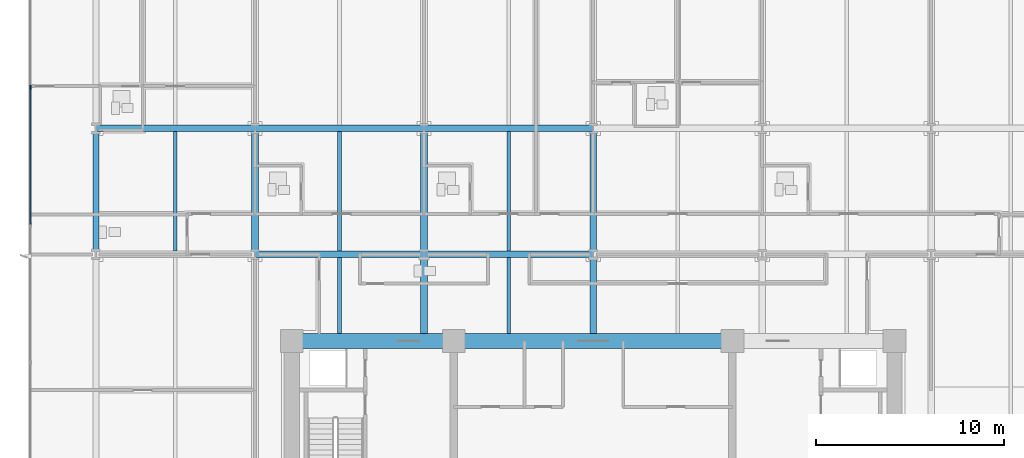
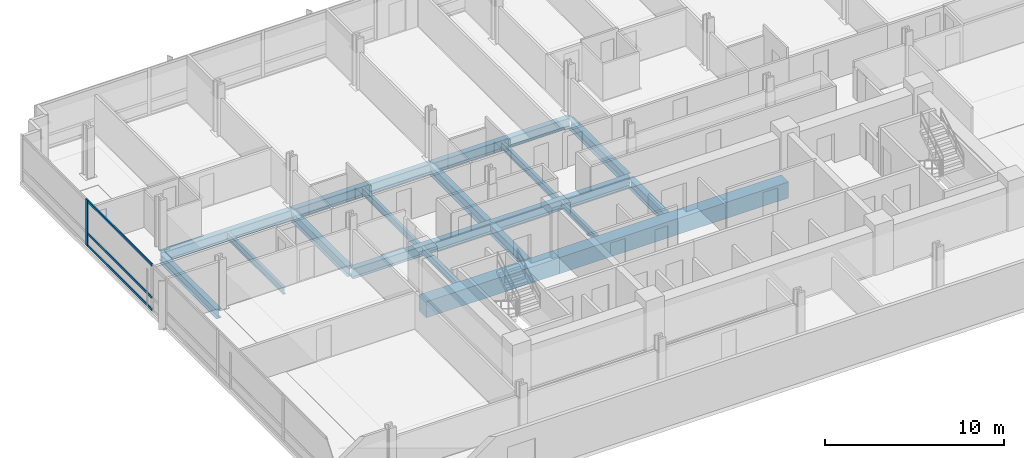
# One storey, part 3 of 16: 18 beams, 4 members, 1 element without a shape of its own.
"""IFC4 building model written with IfcOpenShell, lengths in metres."""

import ifcopenshell
import ifcopenshell.guid

model = None  # the IFC model being written
_history = None  # IfcOwnerHistory: only IFC2X3 demands one
_inside = {}  # id of a spatial element -> (the spatial element, [elements in it])
_under = {}  # id of a project, library or spatial element -> (it, [spatial elements below it])
_declared = {}  # id of a project -> (the project, [libraries it declares])
_typed = {}  # id of a type object -> (the type object, [elements of that type])
_made_of = {}  # id of a material, layer set ... -> (it, [elements and type objects made of it])


def new_model(schema):
    """Start an empty IFC model of exactly this schema.

    Asked for "IFC4X3", IfcOpenShell would pick the latest addendum, in which some entities
    have other attributes; the version numbers below select the first issue.
    IFC2X3 requires an IfcOwnerHistory on every rooted entity: one is made here for all.
    """
    global model, _history
    if schema == "IFC4X3":
        model = ifcopenshell.file(schema_version=(4, 3, 0, 0))
    else:
        model = ifcopenshell.file(schema=schema)
    _inside.clear()
    _under.clear()
    _declared.clear()
    _typed.clear()
    _made_of.clear()
    _history = None
    if model.schema == "IFC2X3":
        org = make("IfcOrganization", Name="unknown")
        user = make(
            "IfcPersonAndOrganization",
            ThePerson=make("IfcPerson", FamilyName="unknown"),
            TheOrganization=org,
        )
        app = make(
            "IfcApplication",
            ApplicationDeveloper=org,
            Version="unknown",
            ApplicationFullName="unknown",
            ApplicationIdentifier="unknown",
        )
        _history = make(
            "IfcOwnerHistory",
            OwningUser=user,
            OwningApplication=app,
            ChangeAction="ADDED",
            CreationDate=0,
        )
    return model


def make(cls, **values):
    """One entity of the class cls with the attributes given. An attribute that is None is left unset."""
    return model.create_entity(
        cls, **{name: value for name, value in values.items() if value is not None}
    )


def rooted(cls, **values):
    """An entity with a GlobalId (a new one), such as an element, a storey or a relation."""
    return make(cls, GlobalId=ifcopenshell.guid.new(), OwnerHistory=_history, **values)


def si_unit(unit_type, name, prefix=None):
    """IfcSIUnit, for example si_unit("LENGTHUNIT", "METRE", prefix="MILLI")."""
    return make("IfcSIUnit", UnitType=unit_type, Prefix=prefix, Name=name)


def assignment(units):
    """IfcUnitAssignment: the units of a project."""
    return None if units is None else make("IfcUnitAssignment", Units=units)


def point(xyz):
    """IfcCartesianPoint."""
    return None if xyz is None else make("IfcCartesianPoint", Coordinates=xyz)


def direction(xyz):
    """IfcDirection."""
    return None if xyz is None else make("IfcDirection", DirectionRatios=xyz)


def frame(location, z_axis=None, x_axis=None):
    """IfcAxis2Placement3D, a coordinate frame: its origin and axes. An axis left out is left unset."""
    return make(
        "IfcAxis2Placement3D",
        Location=point(location),
        Axis=direction(z_axis),
        RefDirection=direction(x_axis),
    )


def frame_2d(location, x_axis=None):
    """IfcAxis2Placement2D, a coordinate frame in the plane: its origin and x axis."""
    return make(
        "IfcAxis2Placement2D", Location=point(location), RefDirection=direction(x_axis)
    )


def origin():
    """The frame at (0, 0, 0) with its axes left unset."""
    return frame((0.0, 0.0, 0.0))


def origin_2d():
    """The frame at (0, 0) in the plane with its x axis left unset."""
    return frame_2d((0.0, 0.0))


def place(relative_to, where):
    """IfcLocalPlacement: puts the frame where relative to a parent placement (None: the world)."""
    return make(
        "IfcLocalPlacement", PlacementRelTo=relative_to, RelativePlacement=where
    )


def context(
    kind, dimensions, precision=None, world=None, true_north=None, identifier=None
):
    """IfcGeometricRepresentationContext, for example the 3D "Model" context."""
    return make(
        "IfcGeometricRepresentationContext",
        ContextIdentifier=identifier,
        ContextType=kind,
        CoordinateSpaceDimension=dimensions,
        Precision=precision,
        WorldCoordinateSystem=world,
        TrueNorth=true_north,
    )


def subcontext(parent, identifier, kind, view, scale=None):
    """IfcGeometricRepresentationSubContext, for example "Body" below "Model"."""
    return make(
        "IfcGeometricRepresentationSubContext",
        ContextIdentifier=identifier,
        ContextType=kind,
        ParentContext=parent,
        TargetScale=scale,
        TargetView=view,
    )


def project(units=None, contexts=None):
    """IfcProject with its units and contexts."""
    return rooted(
        "IfcProject",
        Name="project",
        RepresentationContexts=contexts,
        UnitsInContext=assignment(units),
    )


def spatial(cls, under=None, at=None, **own):
    """A site, building, storey or space (cls), placed at a placement, below another one or the project."""
    s = rooted(cls, ObjectPlacement=at, **own)
    if under is not None:
        _under.setdefault(under.id(), (under, []))[1].append(s)
    return s


def profile(cls, at=None, kind="AREA", **sizes):
    """A parametric profile (cls). Its sizes go by their IFC names, for example OverallWidth=200.0."""
    return make(cls, ProfileType=kind, Position=at, **sizes)


def rectangle(**sizes):
    """IfcRectangleProfileDef."""
    return profile("IfcRectangleProfileDef", **sizes)


def i_section(**sizes):
    """IfcIShapeProfileDef."""
    return profile("IfcIShapeProfileDef", **sizes)


def extrude(swept, where, along, depth):
    """IfcExtrudedAreaSolid: the profile swept, set in the frame where, extruded along a direction by depth."""
    return make(
        "IfcExtrudedAreaSolid",
        SweptArea=swept,
        Position=where,
        ExtrudedDirection=direction(along),
        Depth=depth,
    )


def shape(context_of_items, identifier, shape_type, items):
    """IfcShapeRepresentation: the items that make up one representation, for example the "Body"."""
    return make(
        "IfcShapeRepresentation",
        ContextOfItems=context_of_items,
        RepresentationIdentifier=identifier,
        RepresentationType=shape_type,
        Items=items,
    )


def material(Name=None, Category=None):
    """IfcMaterial."""
    return make("IfcMaterial", Name=Name, Category=Category)


def material_profile(
    of_material, cross_section, Name=None, Category=None, Priority=None
):
    """IfcMaterialProfile: a cross section and its material."""
    return make(
        "IfcMaterialProfile",
        Name=Name,
        Material=of_material,
        Profile=cross_section,
        Priority=Priority,
        Category=Category,
    )


def profile_set(profiles, Name=None, composite=None):
    """IfcMaterialProfileSet."""
    return make(
        "IfcMaterialProfileSet",
        Name=Name,
        MaterialProfiles=profiles,
        CompositeProfile=composite,
    )


def made_of(thing, what):
    """Note that an element or type object is made of a material, layer set ...; save() writes the relation."""
    if what is not None:
        _made_of.setdefault(what.id(), (what, []))[1].append(thing)
    return thing


def type_object(cls, material=None, **own):
    """A type object (cls), such as IfcWallType, which elements share."""
    return made_of(rooted(cls, **own), material)


def element(
    cls,
    number,
    at=None,
    inside=None,
    cuts=None,
    type_object=None,
    material=None,
    context=None,
    identifier="Body",
    shape_type=None,
    held_by="IfcProductDefinitionShape",
    body=None,
    shapes=None,
    **own,
):
    """One element of the class cls, such as IfcWall. Its Tag is "e" and its number.

    at: its placement. inside: the storey or other place that contains it. cuts: it is an
    opening in that element (IfcRelVoidsElement). A single representation is given by context,
    identifier, shape_type and body (its items); several are given by shapes. held_by: the class
    of the entity that holds the representations. save() writes the other relations.
    """
    e = rooted(cls, Tag="e%d" % number, ObjectPlacement=at, **own)
    if body is not None:
        shapes = [shape(context, identifier, shape_type, body)]
    if shapes is not None:
        e.Representation = make(held_by, Representations=shapes)
    if inside is not None:
        _inside.setdefault(inside.id(), (inside, []))[1].append(e)
    if cuts is not None:
        rooted(
            "IfcRelVoidsElement", RelatingBuildingElement=cuts, RelatedOpeningElement=e
        )
    if type_object is not None:
        _typed.setdefault(type_object.id(), (type_object, []))[1].append(e)
    return made_of(e, material)


def aggregate(whole, parts):
    """IfcRelAggregates: a whole, such as a stair, and the parts it consists of."""
    return rooted("IfcRelAggregates", RelatingObject=whole, RelatedObjects=parts)


def save(model, path):
    """Write the relations noted so far, then the file.

    IfcRelAggregates (storeys below a building ...), IfcRelContainedInSpatialStructure (elements
    in a storey), IfcRelDefinesByType, IfcRelAssociatesMaterial and IfcRelDeclares: one each for
    every whole, place, type object, material and project.
    """
    for whole, parts in _under.values():
        aggregate(whole, parts)
    for where, things in _inside.values():
        rooted(
            "IfcRelContainedInSpatialStructure",
            RelatedElements=things,
            RelatingStructure=where,
        )
    for kind, things in _typed.values():
        rooted("IfcRelDefinesByType", RelatedObjects=things, RelatingType=kind)
    for what, things in _made_of.values():
        rooted("IfcRelAssociatesMaterial", RelatedObjects=things, RelatingMaterial=what)
    for by, libraries in _declared.values():
        rooted("IfcRelDeclares", RelatingContext=by, RelatedDefinitions=libraries)
    model.write(path)


model = new_model("IFC4")

# Units and contexts
model_context = context("Model", 3, precision=1e-05, world=origin(), true_north=direction((0.0, 1.0)))
body_context = subcontext(model_context, "Body", "Model", "MODEL_VIEW")
ifc_project = project(units=[si_unit("LENGTHUNIT", "METRE"), si_unit("AREAUNIT", "SQUARE_METRE"), si_unit("VOLUMEUNIT", "CUBIC_METRE"), si_unit("PLANEANGLEUNIT", "RADIAN"), si_unit("MASSUNIT", "GRAM", prefix="KILO")], contexts=[model_context])

# Site, building, storey
site_placement = place(None, origin())
site = spatial("IfcSite", under=ifc_project, at=site_placement, CompositionType="ELEMENT")
building_placement = place(site_placement, origin())
building = spatial("IfcBuilding", under=site, at=building_placement, Name="Solmavex Isthmus Hotel", CompositionType="ELEMENT")
storey_placement = place(building_placement, frame((0.0, 0.0, 29.85009765625)))
storey = spatial("IfcBuildingStorey", under=building, at=storey_placement, Name="L07", CompositionType="ELEMENT", Elevation=29.85009765625)

# Beams
ifc_material_1 = material(Name="Steel ASTM A992 Grade 50", Category="steel")
ifc_material_profile_1 = material_profile(ifc_material_1, i_section(OverallWidth=0.354736328125, OverallDepth=0.695556640625, WebThickness=0.015380859375, FlangeThickness=0.02490234375, FilletRadius=0.017822265625, at=origin_2d()), Name="W27X146")
ifc_profile_set_1 = profile_set([ifc_material_profile_1], Name="Steel ASTM A992 Grade 50")
beam_type_1 = type_object("IfcBeamType", Name="BM-BG-W27X146", PredefinedType="BEAM", material=ifc_profile_set_1)
beam_1_placement = place(storey_placement, frame((-17.951904296875, 2.10009765625, -0.60791015625), z_axis=(1.0, 0.0, 0.0), x_axis=(0.0, 1.0, 0.0)))
element("IfcBeam", 1, at=beam_1_placement, inside=storey, type_object=beam_type_1, Name="Floor Girder L07-UG08", PredefinedType="BEAM", context=body_context, shape_type="SweptSolid", body=[
    extrude(i_section(OverallWidth=0.354736328125, OverallDepth=0.695556640625, WebThickness=0.015380859375, FlangeThickness=0.02490234375, FilletRadius=0.017822265625, at=origin_2d()), origin(), (0.0, 0.0, 1.0), 8.975830078125),
])
beam_2_placement = place(storey_placement, frame((-8.97607421875, 2.10009765625, -0.60791015625), z_axis=(1.0, 0.0, 0.0), x_axis=(0.0, 1.0, 0.0)))
element("IfcBeam", 2, at=beam_2_placement, inside=storey, type_object=beam_type_1, Name="Floor Girder L07-UG09", PredefinedType="BEAM", context=body_context, shape_type="SweptSolid", body=[
    extrude(i_section(OverallWidth=0.354736328125, OverallDepth=0.695556640625, WebThickness=0.015380859375, FlangeThickness=0.02490234375, FilletRadius=0.017822265625, at=origin_2d()), origin(), (0.0, 0.0, 1.0), 8.97607421875),
])
beam_3_placement = place(storey_placement, frame((-26.39990234375, 8.7880859375, -0.60791015625), z_axis=(1.0, 0.0, 0.0), x_axis=(0.0, 1.0, 0.0)))
element("IfcBeam", 3, at=beam_3_placement, inside=storey, type_object=beam_type_1, Name="Floor Girder L07-UG13", PredefinedType="BEAM", context=body_context, shape_type="SweptSolid", body=[
    extrude(i_section(OverallWidth=0.354736328125, OverallDepth=0.695556640625, WebThickness=0.015380859375, FlangeThickness=0.02490234375, FilletRadius=0.017822265625, at=origin_2d()), origin(), (0.0, 0.0, 1.0), 8.447998046875),
])
beam_4_placement = place(storey_placement, frame((-17.951904296875, 8.7880859375, -0.60791015625), z_axis=(1.0, 0.0, 0.0), x_axis=(0.0, 1.0, 0.0)))
element("IfcBeam", 4, at=beam_4_placement, inside=storey, type_object=beam_type_1, Name="Floor Girder L07-UG14", PredefinedType="BEAM", context=body_context, shape_type="SweptSolid", body=[
    extrude(i_section(OverallWidth=0.354736328125, OverallDepth=0.695556640625, WebThickness=0.015380859375, FlangeThickness=0.02490234375, FilletRadius=0.017822265625, at=origin_2d()), origin(), (0.0, 0.0, 1.0), 8.975830078125),
])
beam_5_placement = place(storey_placement, frame((-8.97607421875, 8.7880859375, -0.60791015625), z_axis=(1.0, 0.0, 0.0), x_axis=(0.0, 1.0, 0.0)))
element("IfcBeam", 5, at=beam_5_placement, inside=storey, type_object=beam_type_1, Name="Floor Girder L07-UG15", PredefinedType="BEAM", context=body_context, shape_type="SweptSolid", body=[
    extrude(i_section(OverallWidth=0.354736328125, OverallDepth=0.695556640625, WebThickness=0.015380859375, FlangeThickness=0.02490234375, FilletRadius=0.017822265625, at=origin_2d()), origin(), (0.0, 0.0, 1.0), 8.97607421875),
])
beam_6_placement = place(storey_placement, frame((-17.951904296875, 2.27734375, -0.60791015625), z_axis=(0.0, 1.0, 0.0), x_axis=(-1.0, 0.0, 0.0)))
element("IfcBeam", 6, at=beam_6_placement, inside=storey, type_object=beam_type_1, Name="Floor Beam L07-VG29", PredefinedType="BEAM", context=body_context, shape_type="SweptSolid", body=[
    extrude(i_section(OverallWidth=0.354736328125, OverallDepth=0.695556640625, WebThickness=0.015380859375, FlangeThickness=0.02490234375, FilletRadius=0.017822265625, at=origin_2d()), origin(), (0.0, 0.0, 1.0), 6.333251953125),
])
beam_7_placement = place(storey_placement, frame((-8.97607421875, -2.10009765625, -0.60791015625), z_axis=(0.0, 1.0, 0.0), x_axis=(-1.0, 0.0, 0.0)))
element("IfcBeam", 7, at=beam_7_placement, inside=storey, type_object=beam_type_1, Name="Floor Beam L07-VG32", PredefinedType="BEAM", context=body_context, shape_type="SweptSolid", body=[
    extrude(i_section(OverallWidth=0.354736328125, OverallDepth=0.695556640625, WebThickness=0.015380859375, FlangeThickness=0.02490234375, FilletRadius=0.017822265625, at=origin_2d()), origin(), (0.0, 0.0, 1.0), 4.022705078125),
])
beam_8_placement = place(storey_placement, frame((-8.97607421875, 2.27734375, -0.60791015625), z_axis=(0.0, 1.0, 0.0), x_axis=(-1.0, 0.0, 0.0)))
element("IfcBeam", 8, at=beam_8_placement, inside=storey, type_object=beam_type_1, Name="Floor Beam L07-VG33", PredefinedType="BEAM", context=body_context, shape_type="SweptSolid", body=[
    extrude(i_section(OverallWidth=0.354736328125, OverallDepth=0.695556640625, WebThickness=0.015380859375, FlangeThickness=0.02490234375, FilletRadius=0.017822265625, at=origin_2d()), origin(), (0.0, 0.0, 1.0), 6.333251953125),
])
beam_9_placement = place(storey_placement, frame((0.0, -2.10009765625, -0.60791015625), z_axis=(0.0, 1.0, 0.0), x_axis=(-1.0, 0.0, 0.0)))
element("IfcBeam", 9, at=beam_9_placement, inside=storey, type_object=beam_type_1, Name="Floor Beam L07-VG36", PredefinedType="BEAM", context=body_context, shape_type="SweptSolid", body=[
    extrude(i_section(OverallWidth=0.354736328125, OverallDepth=0.695556640625, WebThickness=0.015380859375, FlangeThickness=0.02490234375, FilletRadius=0.017822265625, at=origin_2d()), origin(), (0.0, 0.0, 1.0), 4.022705078125),
])
beam_10_placement = place(storey_placement, frame((0.0, 2.27734375, -0.60791015625), z_axis=(0.0, 1.0, 0.0), x_axis=(-1.0, 0.0, 0.0)))
element("IfcBeam", 10, at=beam_10_placement, inside=storey, type_object=beam_type_1, Name="Floor Beam L07-VG37", PredefinedType="BEAM", context=body_context, shape_type="SweptSolid", body=[
    extrude(i_section(OverallWidth=0.354736328125, OverallDepth=0.695556640625, WebThickness=0.015380859375, FlangeThickness=0.02490234375, FilletRadius=0.017822265625, at=origin_2d()), origin(), (0.0, 0.0, 1.0), 6.333251953125),
])
ifc_material_profile_2 = material_profile(ifc_material_1, i_section(OverallWidth=0.1904296875, OverallDepth=0.456787109375, WebThickness=0.009033203125, FlangeThickness=0.014404296875, FilletRadius=0.0126953125, at=origin_2d()), Name="W18X50")
ifc_profile_set_2 = profile_set([ifc_material_profile_2], Name="Steel ASTM A992 Grade 50")
beam_type_2 = type_object("IfcBeamType", Name="BM-BJ-W18X50", PredefinedType="JOIST", material=ifc_profile_set_2)
beam_11_placement = place(storey_placement, frame((-22.176025390625, 2.27734375, -0.488525390625), z_axis=(0.0, 1.0, 0.0), x_axis=(-1.0, 0.0, 0.0)))
element("IfcBeam", 11, at=beam_11_placement, inside=storey, type_object=beam_type_2, Name="Secondary Floor Joist L07-J02", PredefinedType="JOIST", context=body_context, shape_type="SweptSolid", body=[
    extrude(i_section(OverallWidth=0.1904296875, OverallDepth=0.456787109375, WebThickness=0.009033203125, FlangeThickness=0.014404296875, FilletRadius=0.0126953125, at=origin_2d()), origin(), (0.0, 0.0, 1.0), 6.333251953125),
])
beam_12_placement = place(storey_placement, frame((-13.464111328125, -2.10009765625, -0.488525390625), z_axis=(0.0, 1.0, 0.0), x_axis=(-1.0, 0.0, 0.0)))
element("IfcBeam", 12, at=beam_12_placement, inside=storey, type_object=beam_type_2, Name="Secondary Floor Joist L07-J05", PredefinedType="JOIST", context=body_context, shape_type="SweptSolid", body=[
    extrude(i_section(OverallWidth=0.1904296875, OverallDepth=0.456787109375, WebThickness=0.009033203125, FlangeThickness=0.014404296875, FilletRadius=0.0126953125, at=origin_2d()), origin(), (0.0, 0.0, 1.0), 4.022705078125),
])
beam_13_placement = place(storey_placement, frame((-13.464111328125, 2.27734375, -0.488525390625), z_axis=(0.0, 1.0, 0.0), x_axis=(-1.0, 0.0, 0.0)))
element("IfcBeam", 13, at=beam_13_placement, inside=storey, type_object=beam_type_2, Name="Secondary Floor Joist L07-J06", PredefinedType="JOIST", context=body_context, shape_type="SweptSolid", body=[
    extrude(i_section(OverallWidth=0.1904296875, OverallDepth=0.456787109375, WebThickness=0.009033203125, FlangeThickness=0.014404296875, FilletRadius=0.0126953125, at=origin_2d()), origin(), (0.0, 0.0, 1.0), 6.333251953125),
])
beam_14_placement = place(storey_placement, frame((-4.488037109375, -2.10009765625, -0.488525390625), z_axis=(0.0, 1.0, 0.0), x_axis=(-1.0, 0.0, 0.0)))
element("IfcBeam", 14, at=beam_14_placement, inside=storey, type_object=beam_type_2, Name="Secondary Floor Joist L07-J09", PredefinedType="JOIST", context=body_context, shape_type="SweptSolid", body=[
    extrude(i_section(OverallWidth=0.1904296875, OverallDepth=0.456787109375, WebThickness=0.009033203125, FlangeThickness=0.014404296875, FilletRadius=0.0126953125, at=origin_2d()), origin(), (0.0, 0.0, 1.0), 4.022705078125),
])
beam_15_placement = place(storey_placement, frame((-4.488037109375, 2.27734375, -0.488525390625), z_axis=(0.0, 1.0, 0.0), x_axis=(-1.0, 0.0, 0.0)))
element("IfcBeam", 15, at=beam_15_placement, inside=storey, type_object=beam_type_2, Name="Secondary Floor Joist L07-J10", PredefinedType="JOIST", context=body_context, shape_type="SweptSolid", body=[
    extrude(i_section(OverallWidth=0.1904296875, OverallDepth=0.456787109375, WebThickness=0.009033203125, FlangeThickness=0.014404296875, FilletRadius=0.0126953125, at=origin_2d()), origin(), (0.0, 0.0, 1.0), 6.333251953125),
])
ifc_material_2 = material(Name="Concrete C70/85", Category="concrete")
ifc_material_profile_3 = material_profile(ifc_material_2, rectangle(XDim=0.800048828125, YDim=1.10009765625, at=origin_2d()), Name="RC800X1100")
ifc_profile_set_3 = profile_set([ifc_material_profile_3], Name="Concrete C70/85")
beam_type_3 = type_object("IfcBeamType", Name="BM-CB-800X1100", PredefinedType="BEAM", material=ifc_profile_set_3)
beam_16_placement = place(storey_placement, frame((-16.0, -2.5, -0.81005859375), z_axis=(1.0, 0.0, 0.0), x_axis=(0.0, 1.0, 0.0)))
element("IfcBeam", 16, at=beam_16_placement, inside=storey, type_object=beam_type_3, Name="Core Coupling Beam L07-CB4", PredefinedType="BEAM", context=body_context, shape_type="SweptSolid", body=[
    extrude(rectangle(XDim=0.800048828125, YDim=1.10009765625, at=origin_2d()), origin(), (0.0, 0.0, 1.0), 8.60009765625),
])
beam_17_placement = place(storey_placement, frame((-7.39990234375, -2.5, -0.81005859375), z_axis=(1.0, 0.0, 0.0), x_axis=(0.0, 1.0, 0.0)))
element("IfcBeam", 17, at=beam_17_placement, inside=storey, type_object=beam_type_3, Name="Core Coupling Beam L07-CB5", PredefinedType="BEAM", context=body_context, shape_type="SweptSolid", body=[
    extrude(rectangle(XDim=0.800048828125, YDim=1.10009765625, at=origin_2d()), origin(), (0.0, 0.0, 1.0), 14.7998046875),
])
ifc_material_profile_4 = material_profile(ifc_material_1, i_section(OverallWidth=0.326416015625, OverallDepth=0.621826171875, WebThickness=0.015380859375, FlangeThickness=0.0244140625, FilletRadius=0.01513671875, at=origin_2d()), Name="W24X131")
ifc_profile_set_4 = profile_set([ifc_material_profile_4], Name="Steel ASTM A992 Grade 50")
beam_type_4 = type_object("IfcBeamType", Name="BM-SP-W24X131", PredefinedType="SPANDREL", material=ifc_profile_set_4)
beam_18_placement = place(storey_placement, frame((-26.39990234375, 2.27734375, -0.571044921875), z_axis=(0.0, 1.0, 0.0), x_axis=(-1.0, 0.0, 0.0)))
element("IfcBeam", 18, at=beam_18_placement, inside=storey, type_object=beam_type_4, Name="Floor Beam L07-VG26", PredefinedType="SPANDREL", context=body_context, shape_type="SweptSolid", body=[
    extrude(i_section(OverallWidth=0.326416015625, OverallDepth=0.621826171875, WebThickness=0.015380859375, FlangeThickness=0.0244140625, FilletRadius=0.01513671875, at=origin_2d()), origin(), (0.0, 0.0, 1.0), 6.333251953125),
])

# Curtain wall, members
ifc_material_3 = material(Name="Aluminium alloy 6063-T6", Category="aluminium")
curtain_wall_type = type_object("IfcCurtainWallType", Name="CW-SYS-02", PredefinedType="NOTDEFINED", material=ifc_material_3)
curtain_wall_placement = place(storey_placement, origin())
curtain_wall = element("IfcCurtainWall", 19, at=curtain_wall_placement, inside=storey, type_object=curtain_wall_type, Name="Stick Curtain Wall CWL-L07-W1", PredefinedType="NOTDEFINED")
ifc_material_profile_5 = material_profile(ifc_material_3, rectangle(XDim=0.074951171875, YDim=0.219970703125, at=origin_2d()), Name="CWM-75X220")
ifc_profile_set_5 = profile_set([ifc_material_profile_5], Name="Aluminium alloy 6063-T6")
member_type_1 = type_object("IfcMemberType", Name="CW-SYS-02-MUL", PredefinedType="MULLION", material=ifc_profile_set_5)
member_1_placement = place(storey_placement, frame((-29.8798828125, 10.97998046875, 0.0), z_axis=(0.0, 0.0, 1.0), x_axis=(-1.0, 0.0, 0.0)))
member_1 = element("IfcMember", 20, at=member_1_placement, type_object=member_type_1, Name="CW-02 mullion 5", PredefinedType="MULLION", context=body_context, shape_type="SweptSolid", body=[
    extrude(rectangle(XDim=0.074951171875, YDim=0.219970703125, at=origin_2d()), origin(), (0.0, 0.0, 1.0), 3.18994140625),
])
ifc_material_profile_6 = material_profile(ifc_material_3, rectangle(XDim=0.074951171875, YDim=0.159912109375, at=origin_2d()), Name="CWT-75X160")
ifc_profile_set_6 = profile_set([ifc_material_profile_6], Name="Aluminium alloy 6063-T6")
member_type_2 = type_object("IfcMemberType", Name="CW-SYS-02-TRN", PredefinedType="USERDEFINED", material=ifc_profile_set_6)
member_2_placement = place(storey_placement, frame((-29.8798828125, 3.697509765625, 0.079833984375), z_axis=(0.0, 1.0, 0.0), x_axis=(-1.0, 0.0, 0.0)))
member_2 = element("IfcMember", 21, at=member_2_placement, type_object=member_type_2, Name="CW-02 transom 4.1", ObjectType="TRANSOM", PredefinedType="USERDEFINED", context=body_context, shape_type="SweptSolid", body=[
    extrude(rectangle(XDim=0.074951171875, YDim=0.159912109375, at=origin_2d()), origin(), (0.0, 0.0, 1.0), 7.244873046875),
])
member_3_placement = place(storey_placement, frame((-29.8798828125, 3.697509765625, 0.89990234375), z_axis=(0.0, 1.0, 0.0), x_axis=(-1.0, 0.0, 0.0)))
member_3 = element("IfcMember", 22, at=member_3_placement, type_object=member_type_2, Name="CW-02 transom 4.2", ObjectType="TRANSOM", PredefinedType="USERDEFINED", context=body_context, shape_type="SweptSolid", body=[
    extrude(rectangle(XDim=0.074951171875, YDim=0.159912109375, at=origin_2d()), origin(), (0.0, 0.0, 1.0), 7.244873046875),
])
member_4_placement = place(storey_placement, frame((-29.8798828125, 3.697509765625, 3.10986328125), z_axis=(0.0, 1.0, 0.0), x_axis=(-1.0, 0.0, 0.0)))
member_4 = element("IfcMember", 23, at=member_4_placement, type_object=member_type_2, Name="CW-02 transom 4.3", ObjectType="TRANSOM", PredefinedType="USERDEFINED", context=body_context, shape_type="SweptSolid", body=[
    extrude(rectangle(XDim=0.074951171875, YDim=0.159912109375, at=origin_2d()), origin(), (0.0, 0.0, 1.0), 7.244873046875),
])
aggregate(curtain_wall, [member_1, member_2, member_3, member_4])

save(model, "model.ifc")
